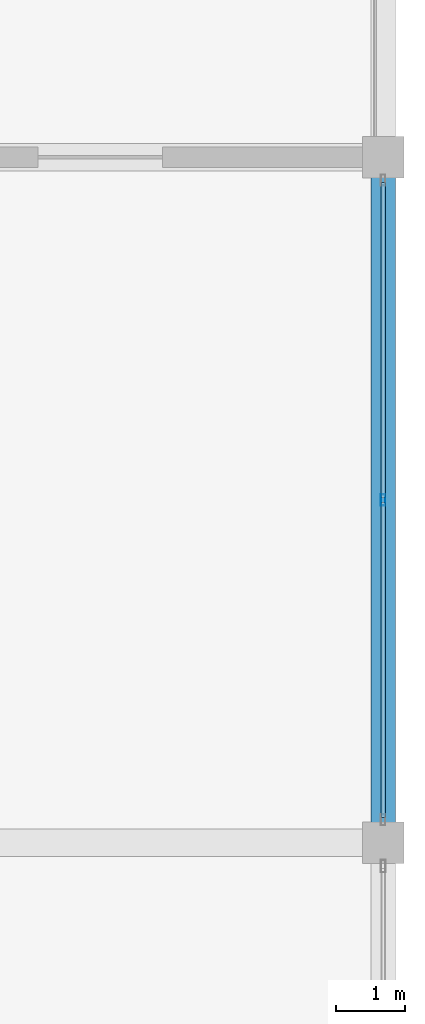
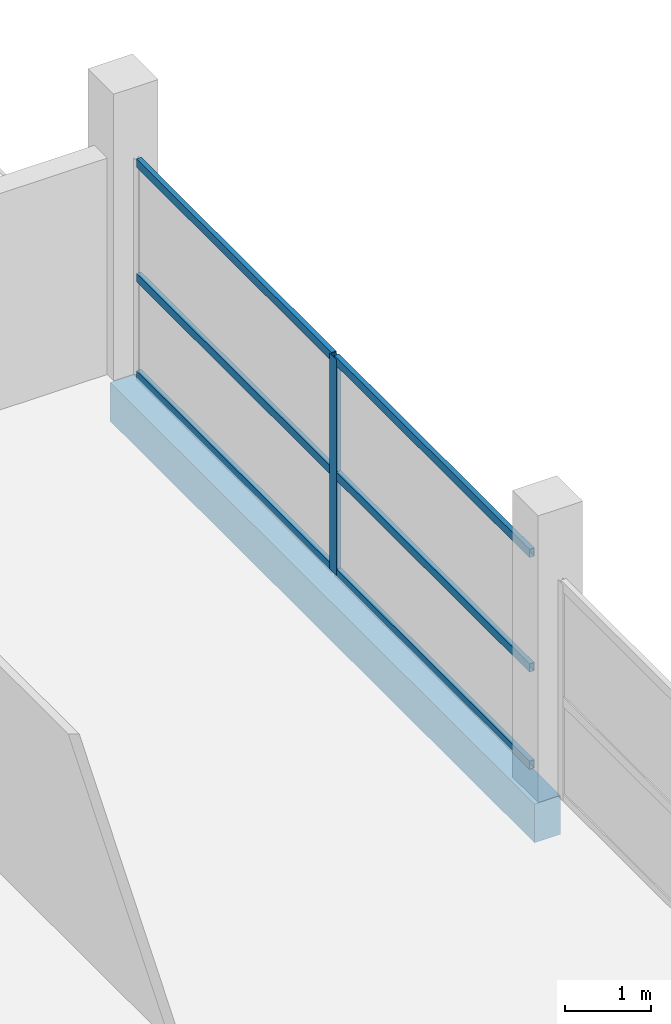
# One storey, part 33 of 53: 7 members, 1 beam, 1 element without a shape of its own.
"""IFC4 building model written with IfcOpenShell, lengths in metres."""

from ifc_helpers import new_model, si_unit, direction, frame, origin, origin_2d, place, context, subcontext, project, spatial, rectangle, hollow_rectangle, extrude, material, layer, layer_set, material_profile, profile_set, type_object, element, aggregate, save


model = new_model("IFC4")

# Units and contexts
model_context = context("Model", 3, precision=1e-05, world=origin(), true_north=direction((0.0, 1.0)))
body_context = subcontext(model_context, "Body", "Model", "MODEL_VIEW")
ifc_project = project(units=[si_unit("LENGTHUNIT", "METRE"), si_unit("AREAUNIT", "SQUARE_METRE"), si_unit("VOLUMEUNIT", "CUBIC_METRE"), si_unit("PLANEANGLEUNIT", "RADIAN"), si_unit("MASSUNIT", "GRAM", prefix="KILO")], contexts=[model_context])

# Site, building, storey
site_placement = place(None, origin())
site = spatial("IfcSite", under=ifc_project, at=site_placement, CompositionType="ELEMENT")
building_placement = place(site_placement, origin())
building = spatial("IfcBuilding", under=site, at=building_placement, Name="Sillaruma Civic Art Gallery", CompositionType="ELEMENT")
storey_placement = place(building_placement, frame((0.0, 0.0, 70.3798828125)))
storey = spatial("IfcBuildingStorey", under=building, at=storey_placement, Name="L14", CompositionType="ELEMENT", Elevation=70.3798828125)

# Beam
ifc_material_1 = material(Name="Concrete H35 (35 MPa)", Category="concrete")
ifc_material_profile_1 = material_profile(ifc_material_1, rectangle(XDim=0.35009765625, YDim=0.550048828125, at=origin_2d()), Name="RCB350x550")
ifc_profile_set_1 = profile_set([ifc_material_profile_1], Name="Concrete H35 (35 MPa)")
beam_type = type_object("IfcBeamType", Name="BM-SPANDREL-RCB350x550", PredefinedType="SPANDREL", material=ifc_profile_set_1)
beam_placement = place(storey_placement, frame((114.39990234375, 59.39990234375, -0.52490234375), z_axis=(0.0, 1.0, 0.0), x_axis=(-1.0, 0.0, 0.0)))
element("IfcBeam", 1, at=beam_placement, inside=storey, type_object=beam_type, Name="Beam BS-04 (L13:N:7-8)", PredefinedType="SPANDREL", context=body_context, shape_type="SweptSolid", body=[
    extrude(rectangle(XDim=0.35009765625, YDim=0.550048828125, at=origin_2d()), origin(), (0.0, 0.0, 1.0), 9.900146484375),
])

# Curtain wall, members
ifc_material_2 = material(Name="Thermally Broken Extruded Aluminium 6063-T6", Category="aluminium")
ifc_layer = layer(ifc_material_2, 0.159912109375, Name="Thermally Broken Extruded Aluminium 6063-T6")
ifc_layer_set = layer_set([ifc_layer], Name="Thermally Broken Extruded Aluminium 6063-T6")
curtain_wall_type = type_object("IfcCurtainWallType", Name="CW-UNI-102", PredefinedType="NOTDEFINED", material=ifc_layer_set)
curtain_wall_placement = place(storey_placement, origin())
curtain_wall = element("IfcCurtainWall", 2, at=curtain_wall_placement, inside=storey, type_object=curtain_wall_type, Name="Unitised Curtain Wall CW-102 (CW-L14-EHH-E3)", PredefinedType="NOTDEFINED")
ifc_material_profile_2 = material_profile(ifc_material_2, hollow_rectangle(XDim=0.06494140625, YDim=0.159912109375, WallThickness=0.00390625, at=origin_2d()), Name="CWM65x160")
ifc_profile_set_2 = profile_set([ifc_material_profile_2], Name="Thermally Broken Extruded Aluminium 6063-T6")
member_type_1 = type_object("IfcMemberType", Name="MEM-MUL-CWM65x160", PredefinedType="MULLION", material=ifc_profile_set_2)
member_1_placement = place(storey_placement, frame((114.39990234375, 64.35009765625, 0.0), z_axis=(0.0, 0.0, 1.0), x_axis=(-1.0, 0.0, 0.0)))
member_1 = element("IfcMember", 3, at=member_1_placement, type_object=member_type_1, Name="CW-102 mullion 2", PredefinedType="MULLION", context=body_context, shape_type="SweptSolid", body=[
    extrude(hollow_rectangle(XDim=0.06494140625, YDim=0.159912109375, WallThickness=0.00390625, at=origin_2d()), origin(), (0.0, 0.0, 1.0), 3.080078125),
])
ifc_material_profile_3 = material_profile(ifc_material_2, hollow_rectangle(XDim=0.06494140625, YDim=0.1201171875, WallThickness=0.00341796875, at=origin_2d()), Name="CWT65x120")
ifc_profile_set_3 = profile_set([ifc_material_profile_3], Name="Thermally Broken Extruded Aluminium 6063-T6")
member_type_2 = type_object("IfcMemberType", Name="MEM-TRN-CWT65x120", PredefinedType="USERDEFINED", material=ifc_profile_set_3)
member_2_placement = place(storey_placement, frame((114.39990234375, 59.764892578125, 0.03271484375), z_axis=(0.0, 1.0, 0.0), x_axis=(-1.0, 0.0, 0.0)))
member_2 = element("IfcMember", 4, at=member_2_placement, type_object=member_type_2, Name="CW-102 transom 1.1", ObjectType="TRANSOM", PredefinedType="USERDEFINED", context=body_context, shape_type="SweptSolid", body=[
    extrude(hollow_rectangle(XDim=0.06494140625, YDim=0.1201171875, WallThickness=0.00341796875, at=origin_2d()), origin(), (0.0, 0.0, 1.0), 4.552490234375),
])
member_3_placement = place(storey_placement, frame((114.39990234375, 59.764892578125, 1.4169921875), z_axis=(0.0, 1.0, 0.0), x_axis=(-1.0, 0.0, 0.0)))
member_3 = element("IfcMember", 5, at=member_3_placement, type_object=member_type_2, Name="CW-102 transom 1.2", ObjectType="TRANSOM", PredefinedType="USERDEFINED", context=body_context, shape_type="SweptSolid", body=[
    extrude(hollow_rectangle(XDim=0.06494140625, YDim=0.1201171875, WallThickness=0.00341796875, at=origin_2d()), origin(), (0.0, 0.0, 1.0), 4.552490234375),
])
member_4_placement = place(storey_placement, frame((114.39990234375, 59.764892578125, 3.047607421875), z_axis=(0.0, 1.0, 0.0), x_axis=(-1.0, 0.0, 0.0)))
member_4 = element("IfcMember", 6, at=member_4_placement, type_object=member_type_2, Name="CW-102 transom 1.3", ObjectType="TRANSOM", PredefinedType="USERDEFINED", context=body_context, shape_type="SweptSolid", body=[
    extrude(hollow_rectangle(XDim=0.06494140625, YDim=0.1201171875, WallThickness=0.00341796875, at=origin_2d()), origin(), (0.0, 0.0, 1.0), 4.552490234375),
])
member_5_placement = place(storey_placement, frame((114.39990234375, 64.382568359375, 0.03271484375), z_axis=(0.0, 1.0, 0.0), x_axis=(-1.0, 0.0, 0.0)))
member_5 = element("IfcMember", 7, at=member_5_placement, type_object=member_type_2, Name="CW-102 transom 2.1", ObjectType="TRANSOM", PredefinedType="USERDEFINED", context=body_context, shape_type="SweptSolid", body=[
    extrude(hollow_rectangle(XDim=0.06494140625, YDim=0.1201171875, WallThickness=0.00341796875, at=origin_2d()), origin(), (0.0, 0.0, 1.0), 4.552490234375),
])
member_6_placement = place(storey_placement, frame((114.39990234375, 64.382568359375, 1.4169921875), z_axis=(0.0, 1.0, 0.0), x_axis=(-1.0, 0.0, 0.0)))
member_6 = element("IfcMember", 8, at=member_6_placement, type_object=member_type_2, Name="CW-102 transom 2.2", ObjectType="TRANSOM", PredefinedType="USERDEFINED", context=body_context, shape_type="SweptSolid", body=[
    extrude(hollow_rectangle(XDim=0.06494140625, YDim=0.1201171875, WallThickness=0.00341796875, at=origin_2d()), origin(), (0.0, 0.0, 1.0), 4.552490234375),
])
member_7_placement = place(storey_placement, frame((114.39990234375, 64.382568359375, 3.047607421875), z_axis=(0.0, 1.0, 0.0), x_axis=(-1.0, 0.0, 0.0)))
member_7 = element("IfcMember", 9, at=member_7_placement, type_object=member_type_2, Name="CW-102 transom 2.3", ObjectType="TRANSOM", PredefinedType="USERDEFINED", context=body_context, shape_type="SweptSolid", body=[
    extrude(hollow_rectangle(XDim=0.06494140625, YDim=0.1201171875, WallThickness=0.00341796875, at=origin_2d()), origin(), (0.0, 0.0, 1.0), 4.552490234375),
])
aggregate(curtain_wall, [member_1, member_2, member_3, member_4, member_5, member_6, member_7])

save(model, "model.ifc")
